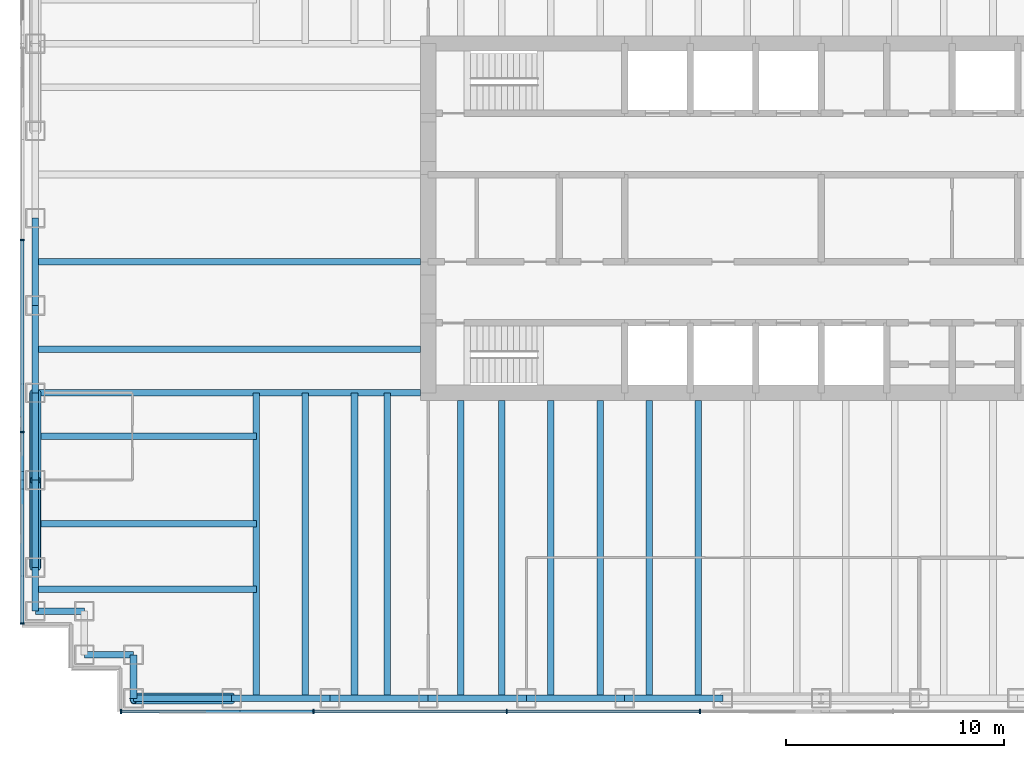
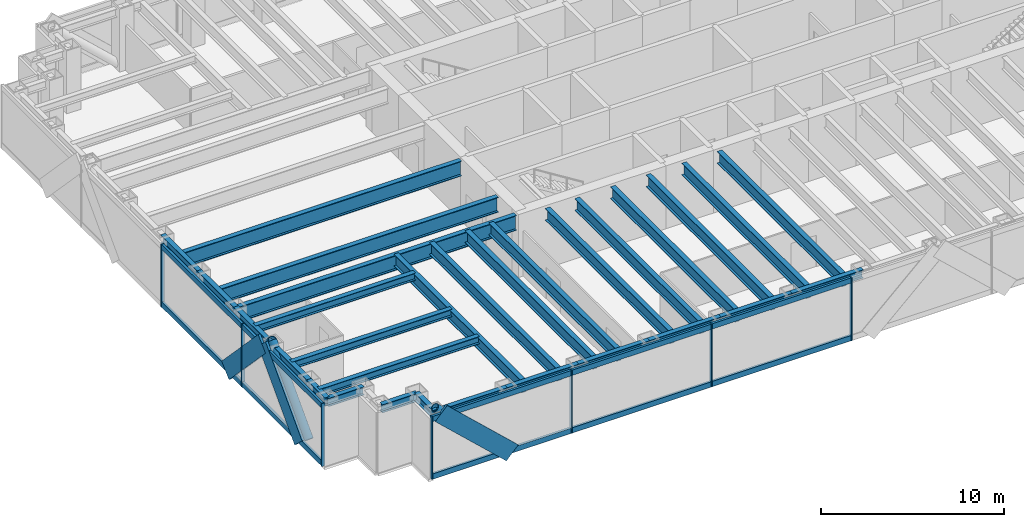
# One storey, part 2 of 17: 30 beams, 23 members, 2 elements without a shape of their own.
"""IFC4 building model written with IfcOpenShell, lengths in metres."""

from ifc_helpers import new_model, si_unit, direction, frame, origin, origin_2d, place, context, subcontext, project, spatial, rectangle, hollow_circle, i_section, extrude, material, material_profile, profile_set, type_object, element, aggregate, save


model = new_model("IFC4")

# Units and contexts
model_context = context("Model", 3, precision=1e-05, world=origin(), true_north=direction((0.0, 1.0)))
body_context = subcontext(model_context, "Body", "Model", "MODEL_VIEW")
ifc_project = project(units=[si_unit("LENGTHUNIT", "METRE"), si_unit("AREAUNIT", "SQUARE_METRE"), si_unit("VOLUMEUNIT", "CUBIC_METRE"), si_unit("PLANEANGLEUNIT", "RADIAN"), si_unit("MASSUNIT", "GRAM", prefix="KILO")], contexts=[model_context])

# Site, building, storey
site_placement = place(None, origin())
site = spatial("IfcSite", under=ifc_project, at=site_placement, CompositionType="ELEMENT")
building_placement = place(site_placement, origin())
building = spatial("IfcBuilding", under=site, at=building_placement, Name="Rheinbord Bourse Tower", CompositionType="ELEMENT")
storey_placement = place(building_placement, frame((0.0, 0.0, 300.5)))
storey = spatial("IfcBuildingStorey", under=building, at=storey_placement, Name="L68", CompositionType="ELEMENT", Elevation=300.5)

# Curtain wall, member
ifc_material_1 = material(Name="Dark glass and black aluminium", Category="aluminium")
curtain_wall_type = type_object("IfcCurtainWallType", Name="CW3 DARK GLASS CURTAIN WALL", PredefinedType="USERDEFINED", material=ifc_material_1)
curtain_wall_1_placement = place(storey_placement, origin())
curtain_wall_1 = element("IfcCurtainWall", 1, at=curtain_wall_1_placement, inside=storey, type_object=curtain_wall_type, Name="Curtain wall CW3 S L68", ObjectType="UNITISED CURTAIN WALL", PredefinedType="USERDEFINED")
ifc_material_2 = material(Name="Black anodised aluminium", Category="aluminium")
ifc_material_profile_1 = material_profile(ifc_material_2, rectangle(XDim=0.14990234375, YDim=1.10791015625, at=origin_2d()), Name="CW3 DIAGONAL MULLION 1108x150")
ifc_profile_set_1 = profile_set([ifc_material_profile_1], Name="Black anodised aluminium")
member_type_1 = type_object("IfcMemberType", Name="CW3 BLACK DIAGONAL MULLION", PredefinedType="USERDEFINED", material=ifc_profile_set_1)
member_1_placement = place(storey_placement, frame((9.0, 1.39990234375, 0.0), z_axis=(-0.73105922506, 0.0, 0.682314010889), x_axis=(0.0, -1.0, 0.0)))
member_1 = element("IfcMember", 2, at=member_1_placement, type_object=member_type_1, Name="CW3 diagonal mullion b", ObjectType="DIAGONAL MULLION", PredefinedType="USERDEFINED", context=body_context, shape_type="SweptSolid", body=[
    extrude(rectangle(XDim=0.14990234375, YDim=1.10791015625, at=origin_2d()), origin(), (0.0, 0.0, 1.0), 6.155517578125),
])

# Curtain wall, members
curtain_wall_2_placement = place(storey_placement, origin())
curtain_wall_2 = element("IfcCurtainWall", 3, at=curtain_wall_2_placement, inside=storey, type_object=curtain_wall_type, Name="Curtain wall CW3 W L68", ObjectType="UNITISED CURTAIN WALL", PredefinedType="USERDEFINED")
member_2_placement = place(storey_placement, frame((-0.60009765625, 16.0, 0.0), z_axis=(0.0, -0.689659376744, 0.724133926887), x_axis=(1.0, 0.0, 0.0)))
member_2 = element("IfcMember", 4, at=member_2_placement, type_object=member_type_1, Name="CW3 diagonal mullion a", ObjectType="DIAGONAL MULLION", PredefinedType="USERDEFINED", context=body_context, shape_type="SweptSolid", body=[
    extrude(rectangle(XDim=0.14990234375, YDim=1.10791015625, at=origin_2d()), origin(), (0.0, 0.0, 1.0), 5.800048828125),
])
member_3_placement = place(storey_placement, frame((-0.60009765625, 8.0, 0.0), z_axis=(0.0, 0.689659376744, 0.724133926887), x_axis=(-1.0, 0.0, 0.0)))
member_3 = element("IfcMember", 5, at=member_3_placement, type_object=member_type_1, Name="CW3 diagonal mullion c", ObjectType="DIAGONAL MULLION", PredefinedType="USERDEFINED", context=body_context, shape_type="SweptSolid", body=[
    extrude(rectangle(XDim=0.14990234375, YDim=1.10791015625, at=origin_2d()), origin(), (0.0, 0.0, 1.0), 5.800048828125),
])

# Member
ifc_material_3 = material(Name="Black anodised aluminium", Category="aluminium")
ifc_material_profile_2 = material_profile(ifc_material_3, rectangle(XDim=0.199951171875, YDim=0.06494140625, at=origin_2d()), Name="CW3 MULLION 65x200")
ifc_profile_set_2 = profile_set([ifc_material_profile_2], Name="Black anodised aluminium")
member_type_2 = type_object("IfcMemberType", Name="CW3 BLACK MULLION", PredefinedType="MULLION", material=ifc_profile_set_2)
member_4_placement = place(storey_placement, frame((3.9326171875, 1.39990234375, 0.0), z_axis=(0.0, 0.0, 1.0), x_axis=(0.0, 1.0, 0.0)))
member_4 = element("IfcMember", 6, at=member_4_placement, type_object=member_type_2, Name="CW3 mullion 1", PredefinedType="MULLION", context=body_context, shape_type="SweptSolid", body=[
    extrude(rectangle(XDim=0.199951171875, YDim=0.06494140625, at=origin_2d()), origin(), (0.0, 0.0, 1.0), 4.199951171875),
])

member_5_placement = place(storey_placement, frame((12.75, 1.39990234375, 0.0), z_axis=(0.0, 0.0, 1.0), x_axis=(0.0, 1.0, 0.0)))
member_5 = element("IfcMember", 7, at=member_5_placement, type_object=member_type_2, Name="CW3 mullion 2", PredefinedType="MULLION", context=body_context, shape_type="SweptSolid", body=[
    extrude(rectangle(XDim=0.199951171875, YDim=0.06494140625, at=origin_2d()), origin(), (0.0, 0.0, 1.0), 4.199951171875),
])

member_6_placement = place(storey_placement, frame((21.60009765625, 1.39990234375, 0.0), z_axis=(0.0, 0.0, 1.0), x_axis=(0.0, 1.0, 0.0)))
member_6 = element("IfcMember", 8, at=member_6_placement, type_object=member_type_2, Name="CW3 mullion 3", PredefinedType="MULLION", context=body_context, shape_type="SweptSolid", body=[
    extrude(rectangle(XDim=0.199951171875, YDim=0.06494140625, at=origin_2d()), origin(), (0.0, 0.0, 1.0), 4.199951171875),
])

member_7_placement = place(storey_placement, frame((30.449951171875, 1.39990234375, 0.0), z_axis=(0.0, 0.0, 1.0), x_axis=(0.0, 1.0, 0.0)))
member_7 = element("IfcMember", 9, at=member_7_placement, type_object=member_type_2, Name="CW3 mullion 4", PredefinedType="MULLION", context=body_context, shape_type="SweptSolid", body=[
    extrude(rectangle(XDim=0.199951171875, YDim=0.06494140625, at=origin_2d()), origin(), (0.0, 0.0, 1.0), 4.199951171875),
])

member_8_placement = place(storey_placement, frame((-0.60009765625, 23.0, 0.0), z_axis=(0.0, 0.0, 1.0), x_axis=(1.0, 0.0, 0.0)))
member_8 = element("IfcMember", 10, at=member_8_placement, type_object=member_type_2, Name="CW3 mullion 3", PredefinedType="MULLION", context=body_context, shape_type="SweptSolid", body=[
    extrude(rectangle(XDim=0.199951171875, YDim=0.06494140625, at=origin_2d()), origin(), (0.0, 0.0, 1.0), 4.199951171875),
])

member_9_placement = place(storey_placement, frame((-0.60009765625, 14.199951171875, 0.0), z_axis=(0.0, 0.0, 1.0), x_axis=(1.0, 0.0, 0.0)))
member_9 = element("IfcMember", 11, at=member_9_placement, type_object=member_type_2, Name="CW3 mullion 4", PredefinedType="MULLION", context=body_context, shape_type="SweptSolid", body=[
    extrude(rectangle(XDim=0.199951171875, YDim=0.06494140625, at=origin_2d()), origin(), (0.0, 0.0, 1.0), 4.199951171875),
])

member_10_placement = place(storey_placement, frame((-0.60009765625, 5.4326171875, 0.0), z_axis=(0.0, 0.0, 1.0), x_axis=(1.0, 0.0, 0.0)))
member_10 = element("IfcMember", 12, at=member_10_placement, type_object=member_type_2, Name="CW3 mullion 5", PredefinedType="MULLION", context=body_context, shape_type="SweptSolid", body=[
    extrude(rectangle(XDim=0.199951171875, YDim=0.06494140625, at=origin_2d()), origin(), (0.0, 0.0, 1.0), 4.199951171875),
])

ifc_material_4 = material(Name="Black anodised aluminium", Category="aluminium")
ifc_material_profile_3 = material_profile(ifc_material_4, rectangle(XDim=0.14990234375, YDim=0.35009765625, at=origin_2d()), Name="CW3 TRANSOM 350x150")
ifc_profile_set_3 = profile_set([ifc_material_profile_3], Name="Black anodised aluminium")
member_type_3 = type_object("IfcMemberType", Name="CW3 BLACK TRANSOM", PredefinedType="USERDEFINED", material=ifc_profile_set_3)
member_11_placement = place(storey_placement, frame((3.965087890625, 1.39990234375, 0.175048828125), z_axis=(1.0, 0.0, 0.0), x_axis=(0.0, 1.0, 0.0)))
member_11 = element("IfcMember", 13, at=member_11_placement, type_object=member_type_3, Name="CW3 transom 1.1", ObjectType="TRANSOM", PredefinedType="USERDEFINED", context=body_context, shape_type="SweptSolid", body=[
    extrude(rectangle(XDim=0.14990234375, YDim=0.35009765625, at=origin_2d()), origin(), (0.0, 0.0, 1.0), 8.75244140625),
])

member_12_placement = place(storey_placement, frame((3.965087890625, 1.39990234375, 4.02490234375), z_axis=(1.0, 0.0, 0.0), x_axis=(0.0, 1.0, 0.0)))
member_12 = element("IfcMember", 14, at=member_12_placement, type_object=member_type_3, Name="CW3 transom 1.2", ObjectType="TRANSOM", PredefinedType="USERDEFINED", context=body_context, shape_type="SweptSolid", body=[
    extrude(rectangle(XDim=0.14990234375, YDim=0.35009765625, at=origin_2d()), origin(), (0.0, 0.0, 1.0), 8.75244140625),
])

member_13_placement = place(storey_placement, frame((12.782470703125, 1.39990234375, 0.175048828125), z_axis=(1.0, 0.0, 0.0), x_axis=(0.0, 1.0, 0.0)))
member_13 = element("IfcMember", 15, at=member_13_placement, type_object=member_type_3, Name="CW3 transom 2.1", ObjectType="TRANSOM", PredefinedType="USERDEFINED", context=body_context, shape_type="SweptSolid", body=[
    extrude(rectangle(XDim=0.14990234375, YDim=0.35009765625, at=origin_2d()), origin(), (0.0, 0.0, 1.0), 8.784912109375),
])

member_14_placement = place(storey_placement, frame((12.782470703125, 1.39990234375, 4.02490234375), z_axis=(1.0, 0.0, 0.0), x_axis=(0.0, 1.0, 0.0)))
member_14 = element("IfcMember", 16, at=member_14_placement, type_object=member_type_3, Name="CW3 transom 2.2", ObjectType="TRANSOM", PredefinedType="USERDEFINED", context=body_context, shape_type="SweptSolid", body=[
    extrude(rectangle(XDim=0.14990234375, YDim=0.35009765625, at=origin_2d()), origin(), (0.0, 0.0, 1.0), 8.784912109375),
])

member_15_placement = place(storey_placement, frame((21.632568359375, 1.39990234375, 0.175048828125), z_axis=(1.0, 0.0, 0.0), x_axis=(0.0, 1.0, 0.0)))
member_15 = element("IfcMember", 17, at=member_15_placement, type_object=member_type_3, Name="CW3 transom 3.1", ObjectType="TRANSOM", PredefinedType="USERDEFINED", context=body_context, shape_type="SweptSolid", body=[
    extrude(rectangle(XDim=0.14990234375, YDim=0.35009765625, at=origin_2d()), origin(), (0.0, 0.0, 1.0), 8.784912109375),
])

member_16_placement = place(storey_placement, frame((21.632568359375, 1.39990234375, 4.02490234375), z_axis=(1.0, 0.0, 0.0), x_axis=(0.0, 1.0, 0.0)))
member_16 = element("IfcMember", 18, at=member_16_placement, type_object=member_type_3, Name="CW3 transom 3.2", ObjectType="TRANSOM", PredefinedType="USERDEFINED", context=body_context, shape_type="SweptSolid", body=[
    extrude(rectangle(XDim=0.14990234375, YDim=0.35009765625, at=origin_2d()), origin(), (0.0, 0.0, 1.0), 8.784912109375),
])

aggregate(curtain_wall_1, [member_4, member_5, member_6, member_7, member_11, member_12, member_13, member_14, member_15, member_16, member_1])

member_17_placement = place(storey_placement, frame((-0.60009765625, 22.967529296875, 0.175048828125), z_axis=(0.0, -1.0, 0.0), x_axis=(1.0, 0.0, 0.0)))
member_17 = element("IfcMember", 19, at=member_17_placement, type_object=member_type_3, Name="CW3 transom 3.1", ObjectType="TRANSOM", PredefinedType="USERDEFINED", context=body_context, shape_type="SweptSolid", body=[
    extrude(rectangle(XDim=0.14990234375, YDim=0.35009765625, at=origin_2d()), origin(), (0.0, 0.0, 1.0), 8.735107421875),
])

member_18_placement = place(storey_placement, frame((-0.60009765625, 22.967529296875, 4.02490234375), z_axis=(0.0, -1.0, 0.0), x_axis=(1.0, 0.0, 0.0)))
member_18 = element("IfcMember", 20, at=member_18_placement, type_object=member_type_3, Name="CW3 transom 3.2", ObjectType="TRANSOM", PredefinedType="USERDEFINED", context=body_context, shape_type="SweptSolid", body=[
    extrude(rectangle(XDim=0.14990234375, YDim=0.35009765625, at=origin_2d()), origin(), (0.0, 0.0, 1.0), 8.735107421875),
])

member_19_placement = place(storey_placement, frame((-0.60009765625, 14.16748046875, 0.175048828125), z_axis=(0.0, -1.0, 0.0), x_axis=(1.0, 0.0, 0.0)))
member_19 = element("IfcMember", 21, at=member_19_placement, type_object=member_type_3, Name="CW3 transom 4.1", ObjectType="TRANSOM", PredefinedType="USERDEFINED", context=body_context, shape_type="SweptSolid", body=[
    extrude(rectangle(XDim=0.14990234375, YDim=0.35009765625, at=origin_2d()), origin(), (0.0, 0.0, 1.0), 8.702392578125),
])

member_20_placement = place(storey_placement, frame((-0.60009765625, 14.16748046875, 4.02490234375), z_axis=(0.0, -1.0, 0.0), x_axis=(1.0, 0.0, 0.0)))
member_20 = element("IfcMember", 22, at=member_20_placement, type_object=member_type_3, Name="CW3 transom 4.2", ObjectType="TRANSOM", PredefinedType="USERDEFINED", context=body_context, shape_type="SweptSolid", body=[
    extrude(rectangle(XDim=0.14990234375, YDim=0.35009765625, at=origin_2d()), origin(), (0.0, 0.0, 1.0), 8.702392578125),
])

aggregate(curtain_wall_2, [member_8, member_9, member_10, member_17, member_18, member_19, member_20, member_2, member_3])

# Beams
ifc_material_5 = material(Name="Steel S460", Category="steel")
ifc_material_profile_4 = material_profile(ifc_material_5, i_section(OverallWidth=0.302001953125, OverallDepth=1.008056640625, WebThickness=0.02099609375, FlangeThickness=0.0400390625, at=origin_2d()), Name="HEM 1000")
ifc_profile_set_4 = profile_set([ifc_material_profile_4], Name="Steel S460")
beam_type_1 = type_object("IfcBeamType", Name="END BEAM HEM 1000", PredefinedType="BEAM", material=ifc_profile_set_4)
for number, where, z_axis, x_axis, name in (
    (23, (0.0, 18.0, 3.535888671875), (1.0, 0.0, 0.0), (0.0, 1.0, 0.0), "End beam west 18 L69"),
    (24, (0.0, 22.0, 3.535888671875), (1.0, 0.0, 0.0), (0.0, 1.0, 0.0), "End beam west 22 L69"),
):
    element("IfcBeam", number, at=place(storey_placement, frame(where, z_axis=z_axis, x_axis=x_axis)), inside=storey, type_object=beam_type_1, Name=name, PredefinedType="BEAM", context=body_context, shape_type="SweptSolid", body=[
        extrude(i_section(OverallWidth=0.302001953125, OverallDepth=1.008056640625, WebThickness=0.02099609375, FlangeThickness=0.0400390625, at=origin_2d()), origin(), (0.0, 0.0, 1.0), 17.64990234375),
    ])
ifc_material_6 = material(Name="Steel S460", Category="steel")
ifc_material_profile_5 = material_profile(ifc_material_6, i_section(OverallWidth=0.300048828125, OverallDepth=0.800048828125, WebThickness=0.017578125, FlangeThickness=0.032958984375, at=origin_2d()), Name="HEB 800")
ifc_profile_set_5 = profile_set([ifc_material_profile_5], Name="Steel S460")
beam_type_2 = type_object("IfcBeamType", Name="FLOOR BEAM HEB 800", PredefinedType="BEAM", material=ifc_profile_set_5)
for number, where, z_axis, x_axis, name in (
    (25, (10.125, 2.0, 3.639892578125), (0.0, 1.0, 0.0), (-1.0, 0.0, 0.0), "Floor beam S-9a L69"),
    (26, (12.375, 2.0, 3.639892578125), (0.0, 1.0, 0.0), (-1.0, 0.0, 0.0), "Floor beam S-9b L69"),
    (27, (14.625, 2.0, 3.639892578125), (0.0, 1.0, 0.0), (-1.0, 0.0, 0.0), "Floor beam S-13.5a L69"),
    (28, (16.125, 2.0, 3.639892578125), (0.0, 1.0, 0.0), (-1.0, 0.0, 0.0), "Floor beam S-13.5b L69"),
):
    element("IfcBeam", number, at=place(storey_placement, frame(where, z_axis=z_axis, x_axis=x_axis)), inside=storey, type_object=beam_type_2, Name=name, PredefinedType="BEAM", context=body_context, shape_type="SweptSolid", body=[
        extrude(i_section(OverallWidth=0.300048828125, OverallDepth=0.800048828125, WebThickness=0.017578125, FlangeThickness=0.032958984375, at=origin_2d()), origin(), (0.0, 0.0, 1.0), 14.0),
    ])
for number, where, z_axis, x_axis, name in (
    (29, (19.5, 2.0, 3.639892578125), (0.0, 1.0, 0.0), (-1.0, 0.0, 0.0), "Floor beam S-18a L69"),
    (30, (21.375, 2.0, 3.639892578125), (0.0, 1.0, 0.0), (-1.0, 0.0, 0.0), "Floor beam S-18b L69"),
    (31, (23.625, 2.0, 3.639892578125), (0.0, 1.0, 0.0), (-1.0, 0.0, 0.0), "Floor beam S-22.5a L69"),
    (32, (25.875, 2.0, 3.639892578125), (0.0, 1.0, 0.0), (-1.0, 0.0, 0.0), "Floor beam S-22.5b L69"),
    (33, (28.125, 2.0, 3.639892578125), (0.0, 1.0, 0.0), (-1.0, 0.0, 0.0), "Floor beam S-27a L69"),
    (34, (30.375, 2.0, 3.639892578125), (0.0, 1.0, 0.0), (-1.0, 0.0, 0.0), "Floor beam S-27b L69"),
):
    element("IfcBeam", number, at=place(storey_placement, frame(where, z_axis=z_axis, x_axis=x_axis)), inside=storey, type_object=beam_type_2, Name=name, PredefinedType="BEAM", context=body_context, shape_type="SweptSolid", body=[
        extrude(i_section(OverallWidth=0.300048828125, OverallDepth=0.800048828125, WebThickness=0.017578125, FlangeThickness=0.032958984375, at=origin_2d()), origin(), (0.0, 0.0, 1.0), 13.64990234375),
    ])
ifc_material_7 = material(Name="Steel S460", Category="steel")
ifc_material_profile_6 = material_profile(ifc_material_7, i_section(OverallWidth=0.302001953125, OverallDepth=1.008056640625, WebThickness=0.02099609375, FlangeThickness=0.0400390625, at=origin_2d()), Name="HEM 1000")
ifc_profile_set_6 = profile_set([ifc_material_profile_6], Name="Steel S460")
beam_type_3 = type_object("IfcBeamType", Name="GIRDER HEM 1000", PredefinedType="BEAM", material=ifc_profile_set_6)
beam_1_placement = place(storey_placement, frame((0.0, 16.0, 3.535888671875), z_axis=(1.0, 0.0, 0.0), x_axis=(0.0, 1.0, 0.0)))
element("IfcBeam", 35, at=beam_1_placement, inside=storey, type_object=beam_type_3, Name="Girder west 16 L69", PredefinedType="BEAM", context=body_context, shape_type="SweptSolid", body=[
    extrude(i_section(OverallWidth=0.302001953125, OverallDepth=1.008056640625, WebThickness=0.02099609375, FlangeThickness=0.0400390625, at=origin_2d()), origin(), (0.0, 0.0, 1.0), 17.64990234375),
])

# Members
ifc_material_8 = material(Name="Steel S460", Category="steel")
ifc_material_profile_7 = material_profile(ifc_material_8, hollow_circle(Radius=0.25390625, WallThickness=0.030029296875, at=origin_2d()), Name="CHS 508x30")
ifc_profile_set_7 = profile_set([ifc_material_profile_7], Name="Steel S460")
member_type_4 = type_object("IfcMemberType", Name="MEGABRACE CHS 508x30", PredefinedType="BRACE", material=ifc_profile_set_7)
member_21_placement = place(storey_placement, frame((9.0, 2.0, 0.0), z_axis=(-0.73105922506, 0.0, 0.682314010889), x_axis=(0.0, -1.0, 0.0)))
element("IfcMember", 36, at=member_21_placement, inside=storey, type_object=member_type_4, Name="Megabrace S face line b L68", PredefinedType="BRACE", context=body_context, shape_type="SweptSolid", body=[
    extrude(hollow_circle(Radius=0.25390625, WallThickness=0.030029296875, at=origin_2d()), origin(), (0.0, 0.0, 1.0), 6.155517578125),
])
for number, where, z_axis, x_axis, name in (
    (37, (0.0, 16.0, 0.0), (0.0, -0.689659376744, 0.724133926887), (1.0, 0.0, 0.0), "Megabrace W face line a L68"),
    (38, (0.0, 8.0, 0.0), (0.0, 0.689659376744, 0.724133926887), (-1.0, 0.0, 0.0), "Megabrace W face line c L68"),
):
    element("IfcMember", number, at=place(storey_placement, frame(where, z_axis=z_axis, x_axis=x_axis)), inside=storey, type_object=member_type_4, Name=name, PredefinedType="BRACE", context=body_context, shape_type="SweptSolid", body=[
        extrude(hollow_circle(Radius=0.25390625, WallThickness=0.030029296875, at=origin_2d()), origin(), (0.0, 0.0, 1.0), 5.800048828125),
    ])

# Beams
ifc_material_9 = material(Name="Steel S460", Category="steel")
ifc_material_profile_8 = material_profile(ifc_material_9, i_section(OverallWidth=0.300048828125, OverallDepth=0.550048828125, WebThickness=0.014892578125, FlangeThickness=0.029052734375, at=origin_2d()), Name="HEB 550")
ifc_profile_set_8 = profile_set([ifc_material_profile_8], Name="Steel S460")
beam_type_4 = type_object("IfcBeamType", Name="SPANDREL HEB 550", PredefinedType="SPANDREL", material=ifc_profile_set_8)
for number, where, z_axis, x_axis, name in (
    (39, (4.5, 2.0, 3.764892578125), (1.0, 0.0, 0.0), (0.0, 1.0, 0.0), "Spandrel SW-E-S-9 under L69"),
    (40, (9.0, 2.0, 3.764892578125), (1.0, 0.0, 0.0), (0.0, 1.0, 0.0), "Spandrel S-9-S-13.5 under L69"),
    (41, (13.5, 2.0, 3.764892578125), (1.0, 0.0, 0.0), (0.0, 1.0, 0.0), "Spandrel S-13.5-S-18 under L69"),
    (42, (18.0, 2.0, 3.764892578125), (1.0, 0.0, 0.0), (0.0, 1.0, 0.0), "Spandrel S-18-S-22.5 under L69"),
    (43, (22.5, 2.0, 3.764892578125), (1.0, 0.0, 0.0), (0.0, 1.0, 0.0), "Spandrel S-22.5-S-27 under L69"),
    (44, (27.0, 2.0, 3.764892578125), (1.0, 0.0, 0.0), (0.0, 1.0, 0.0), "Spandrel S-27-S-31.5 under L69"),
):
    element("IfcBeam", number, at=place(storey_placement, frame(where, z_axis=z_axis, x_axis=x_axis)), inside=storey, type_object=beam_type_4, Name=name, PredefinedType="SPANDREL", context=body_context, shape_type="SweptSolid", body=[
        extrude(i_section(OverallWidth=0.300048828125, OverallDepth=0.550048828125, WebThickness=0.014892578125, FlangeThickness=0.029052734375, at=origin_2d()), origin(), (0.0, 0.0, 1.0), 4.5),
    ])
for number, where, z_axis, x_axis, name in (
    (45, (0.0, 24.0, 3.764892578125), (0.0, -1.0, 0.0), (1.0, 0.0, 0.0), "Spandrel W-24-W-20 under L69"),
    (46, (0.0, 20.0, 3.764892578125), (0.0, -1.0, 0.0), (1.0, 0.0, 0.0), "Spandrel W-20-W-16 under L69"),
    (47, (0.0, 16.0, 3.764892578125), (0.0, -1.0, 0.0), (1.0, 0.0, 0.0), "Spandrel W-16-W-12 under L69"),
    (48, (0.0, 12.0, 3.764892578125), (0.0, -1.0, 0.0), (1.0, 0.0, 0.0), "Spandrel W-12-W-8 under L69"),
):
    element("IfcBeam", number, at=place(storey_placement, frame(where, z_axis=z_axis, x_axis=x_axis)), inside=storey, type_object=beam_type_4, Name=name, PredefinedType="SPANDREL", context=body_context, shape_type="SweptSolid", body=[
        extrude(i_section(OverallWidth=0.300048828125, OverallDepth=0.550048828125, WebThickness=0.014892578125, FlangeThickness=0.029052734375, at=origin_2d()), origin(), (0.0, 0.0, 1.0), 4.0),
    ])
beam_2_placement = place(storey_placement, frame((0.0, 8.0, 3.764892578125), z_axis=(0.0, -1.0, 0.0), x_axis=(1.0, 0.0, 0.0)))
element("IfcBeam", 49, at=beam_2_placement, inside=storey, type_object=beam_type_4, Name="Spandrel W-8-SW-A under L69", PredefinedType="SPANDREL", context=body_context, shape_type="SweptSolid", body=[
    extrude(i_section(OverallWidth=0.300048828125, OverallDepth=0.550048828125, WebThickness=0.014892578125, FlangeThickness=0.029052734375, at=origin_2d()), origin(), (0.0, 0.0, 1.0), 2.0),
])
for number, where, z_axis, x_axis, name in (
    (50, (0.0, 6.0, 3.764892578125), (1.0, 0.0, 0.0), (0.0, 1.0, 0.0), "Spandrel SW-A-SW-B under L69"),
    (51, (2.25, 4.0, 3.764892578125), (1.0, 0.0, 0.0), (0.0, 1.0, 0.0), "Spandrel SW-C-SW-D under L69"),
):
    element("IfcBeam", number, at=place(storey_placement, frame(where, z_axis=z_axis, x_axis=x_axis)), inside=storey, type_object=beam_type_4, Name=name, PredefinedType="SPANDREL", context=body_context, shape_type="SweptSolid", body=[
        extrude(i_section(OverallWidth=0.300048828125, OverallDepth=0.550048828125, WebThickness=0.014892578125, FlangeThickness=0.029052734375, at=origin_2d()), origin(), (0.0, 0.0, 1.0), 2.25),
    ])
beam_3_placement = place(storey_placement, frame((4.5, 4.0, 3.764892578125), z_axis=(0.0, -1.0, 0.0), x_axis=(1.0, 0.0, 0.0)))
element("IfcBeam", 52, at=beam_3_placement, inside=storey, type_object=beam_type_4, Name="Spandrel SW-D-SW-E under L69", PredefinedType="SPANDREL", context=body_context, shape_type="SweptSolid", body=[
    extrude(i_section(OverallWidth=0.300048828125, OverallDepth=0.550048828125, WebThickness=0.014892578125, FlangeThickness=0.029052734375, at=origin_2d()), origin(), (0.0, 0.0, 1.0), 2.0),
])
ifc_material_10 = material(Name="Steel S460", Category="steel")
ifc_material_profile_9 = material_profile(ifc_material_10, i_section(OverallWidth=0.300048828125, OverallDepth=0.5, WebThickness=0.014404296875, FlangeThickness=0.028076171875, at=origin_2d()), Name="HEB 500")
ifc_profile_set_9 = profile_set([ifc_material_profile_9], Name="Steel S460")
beam_type_5 = type_object("IfcBeamType", Name="TIE BEAM HEB 500", PredefinedType="JOIST", material=ifc_profile_set_9)
for number, where, z_axis, x_axis, name in (
    (53, (0.0, 7.0, 3.7900390625), (1.0, 0.0, 0.0), (0.0, 1.0, 0.0), "Tie west 7 L69"),
    (54, (0.0, 10.0, 3.7900390625), (1.0, 0.0, 0.0), (0.0, 1.0, 0.0), "Tie west 10 L69"),
    (55, (0.0, 14.0, 3.7900390625), (1.0, 0.0, 0.0), (0.0, 1.0, 0.0), "Tie west 14 L69"),
):
    element("IfcBeam", number, at=place(storey_placement, frame(where, z_axis=z_axis, x_axis=x_axis)), inside=storey, type_object=beam_type_5, Name=name, PredefinedType="JOIST", context=body_context, shape_type="SweptSolid", body=[
        extrude(i_section(OverallWidth=0.300048828125, OverallDepth=0.5, WebThickness=0.014404296875, FlangeThickness=0.028076171875, at=origin_2d()), origin(), (0.0, 0.0, 1.0), 10.125),
    ])

save(model, "model.ifc")
